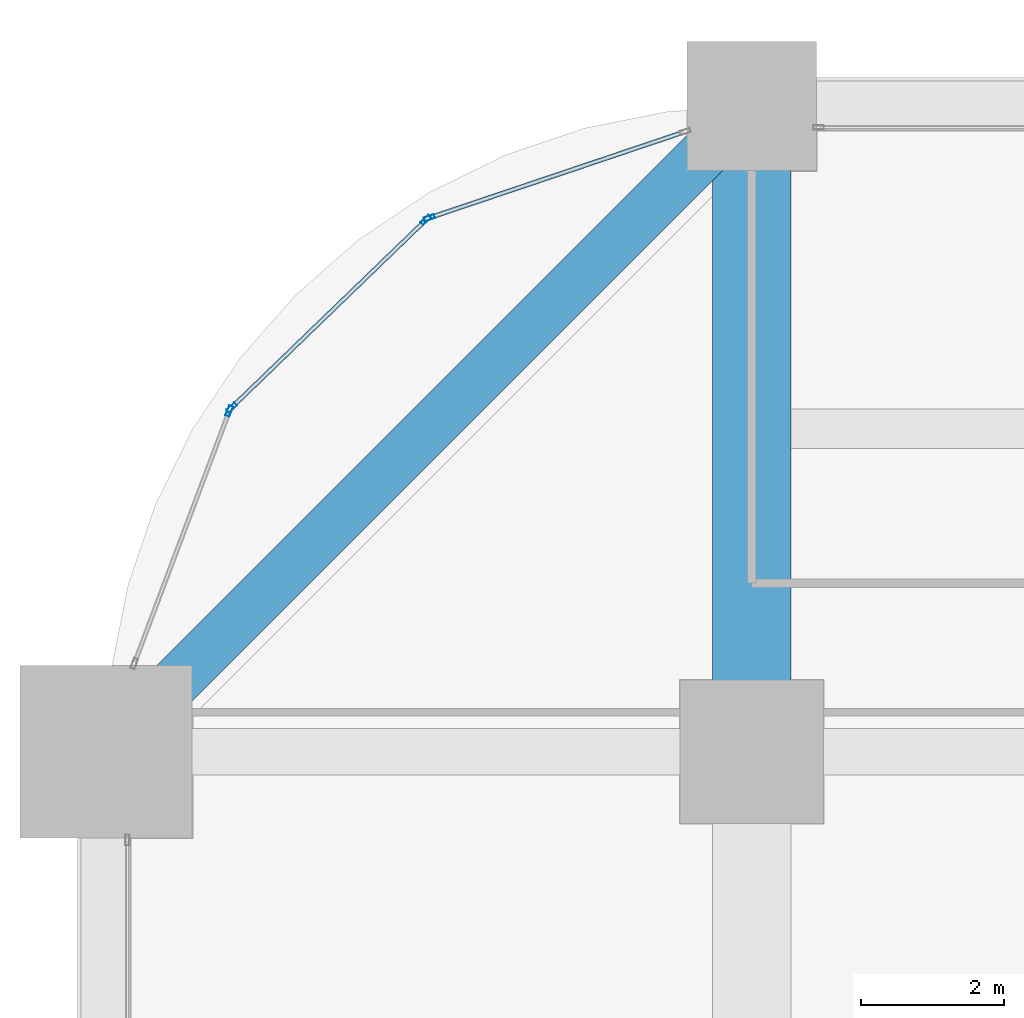
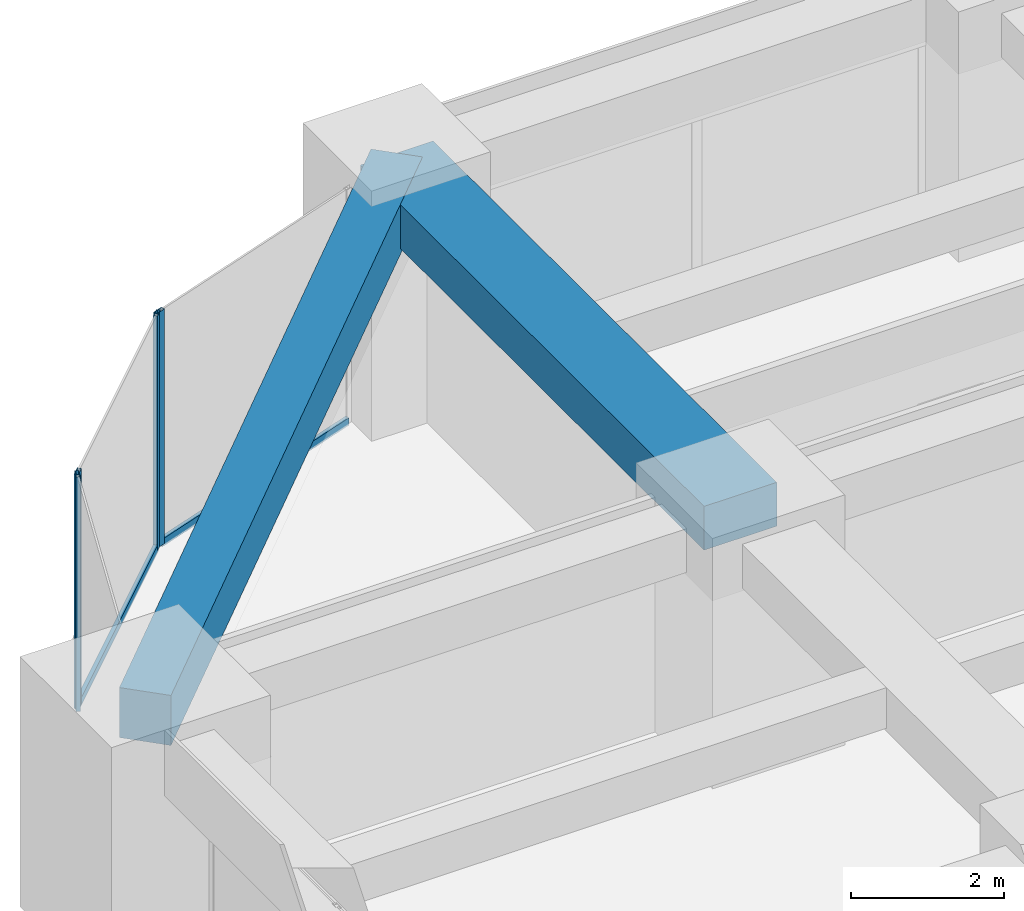
# One storey, part 26 of 41: 6 members, 2 beams, 3 elements without a shape of their own.
"""IFC4 building model written with IfcOpenShell, lengths in metres."""

from ifc_helpers import new_model, si_unit, direction, frame, origin, origin_2d, place, context, subcontext, project, spatial, rectangle, hollow_rectangle, extrude, material, material_profile, profile_set, type_object, element, aggregate, save


model = new_model("IFC4")

# Units and contexts
model_context = context("Model", 3, precision=1e-05, world=origin(), true_north=direction((0.0, 1.0)))
body_context = subcontext(model_context, "Body", "Model", "MODEL_VIEW")
ifc_project = project(units=[si_unit("LENGTHUNIT", "METRE"), si_unit("AREAUNIT", "SQUARE_METRE"), si_unit("VOLUMEUNIT", "CUBIC_METRE"), si_unit("PLANEANGLEUNIT", "RADIAN"), si_unit("MASSUNIT", "GRAM", prefix="KILO")], contexts=[model_context])

# Site, building, storey
site_placement = place(None, origin())
site = spatial("IfcSite", under=ifc_project, at=site_placement, CompositionType="ELEMENT")
building_placement = place(site_placement, origin())
building = spatial("IfcBuilding", under=site, at=building_placement, Name="Zorevar Civic Tower", CompositionType="ELEMENT")
storey_placement = place(building_placement, frame((0.0, 0.0, 101.0)))
storey = spatial("IfcBuildingStorey", under=building, at=storey_placement, Name="L24", CompositionType="ELEMENT", Elevation=101.0)

# Beam
ifc_material_1 = material(Name="Concrete C50/60", Category="concrete")
ifc_material_profile_1 = material_profile(ifc_material_1, rectangle(XDim=1.10009765625, YDim=0.699951171875, at=origin_2d()), Name="RC 1100x700")
ifc_profile_set_1 = profile_set([ifc_material_profile_1], Name="Concrete C50/60")
beam_type_1 = type_object("IfcBeamType", Name="Beam RC 1100x700", PredefinedType="BEAM", material=ifc_profile_set_1)
beam_1_placement = place(storey_placement, frame((9.0, 36.0, 3.39990234375), z_axis=(0.0, 1.0, 0.0), x_axis=(-1.0, 0.0, 0.0)))
element("IfcBeam", 1, at=beam_1_placement, inside=storey, type_object=beam_type_1, Name="Girder L25", PredefinedType="BEAM", context=body_context, shape_type="SweptSolid", body=[
    extrude(rectangle(XDim=1.10009765625, YDim=0.699951171875, at=origin_2d()), origin(), (0.0, 0.0, 1.0), 9.0),
])

# Curtain wall, member
ifc_material_2 = material(Name="Dark grey solar-control glass in black aluminium frame", Category="aluminium")
curtain_wall_type = type_object("IfcCurtainWallType", Name="Curtain wall CW3 mid zone", PredefinedType="NOTDEFINED", material=ifc_material_2)
curtain_wall_1_placement = place(storey_placement, origin())
curtain_wall_1 = element("IfcCurtainWall", 2, at=curtain_wall_1_placement, inside=storey, type_object=curtain_wall_type, Name="CW3 L24", PredefinedType="NOTDEFINED")
ifc_material_3 = material(Name="Aluminium, black anodised", Category="aluminium")
ifc_material_profile_2 = material_profile(ifc_material_3, hollow_rectangle(XDim=0.06005859375, YDim=0.14990234375, WallThickness=0.00390625, at=origin_2d()), Name="AL 150x60x4")
ifc_profile_set_2 = profile_set([ifc_material_profile_2], Name="Aluminium, black anodised")
member_type_1 = type_object("IfcMemberType", Name="CW3 mullion AL 150x60x4", PredefinedType="MULLION", material=ifc_profile_set_2)
member_1_placement = place(storey_placement, frame((4.506591796875, 43.442138671875, 0.0), z_axis=(0.0, 0.0, 1.0), x_axis=(0.319412525043, -0.947615765406, 0.0)))
member_1 = element("IfcMember", 3, at=member_1_placement, type_object=member_type_1, Name="CW3 mullion 2", PredefinedType="MULLION", context=body_context, shape_type="SweptSolid", body=[
    extrude(hollow_rectangle(XDim=0.06005859375, YDim=0.14990234375, WallThickness=0.00390625, at=origin_2d()), origin(), (0.0, 0.0, 1.0), 3.75),
])

# Curtain wall, members
curtain_wall_2_placement = place(storey_placement, origin())
curtain_wall_2 = element("IfcCurtainWall", 4, at=curtain_wall_2_placement, inside=storey, type_object=curtain_wall_type, Name="CW3 L24", PredefinedType="NOTDEFINED")
member_2_placement = place(storey_placement, frame((4.45654296875, 43.41162109375, 0.0), z_axis=(0.0, 0.0, 1.0), x_axis=(0.694719089155, -0.719281160023, 0.0)))
member_2 = element("IfcMember", 5, at=member_2_placement, type_object=member_type_1, Name="CW3 mullion 1", PredefinedType="MULLION", context=body_context, shape_type="SweptSolid", body=[
    extrude(hollow_rectangle(XDim=0.06005859375, YDim=0.14990234375, WallThickness=0.00390625, at=origin_2d()), origin(), (0.0, 0.0, 1.0), 3.75),
])
member_3_placement = place(storey_placement, frame((1.750732421875, 40.798095703125, 0.0), z_axis=(0.0, 0.0, 1.0), x_axis=(0.694719089155, -0.719281160023, 0.0)))
member_3 = element("IfcMember", 6, at=member_3_placement, type_object=member_type_1, Name="CW3 mullion 2", PredefinedType="MULLION", context=body_context, shape_type="SweptSolid", body=[
    extrude(hollow_rectangle(XDim=0.06005859375, YDim=0.14990234375, WallThickness=0.00390625, at=origin_2d()), origin(), (0.0, 0.0, 1.0), 3.75),
])

# Curtain wall, member
curtain_wall_3_placement = place(storey_placement, origin())
curtain_wall_3 = element("IfcCurtainWall", 7, at=curtain_wall_3_placement, inside=storey, type_object=curtain_wall_type, Name="CW3 L24", PredefinedType="NOTDEFINED")
member_4_placement = place(storey_placement, frame((1.718505859375, 40.749267578125, 0.0), z_axis=(0.0, 0.0, 1.0), x_axis=(0.935950528564, -0.352131520999, 0.0)))
member_4 = element("IfcMember", 8, at=member_4_placement, type_object=member_type_1, Name="CW3 mullion 1", PredefinedType="MULLION", context=body_context, shape_type="SweptSolid", body=[
    extrude(hollow_rectangle(XDim=0.06005859375, YDim=0.14990234375, WallThickness=0.00390625, at=origin_2d()), origin(), (0.0, 0.0, 1.0), 3.75),
])
aggregate(curtain_wall_3, [member_4])

# Member
ifc_material_4 = material(Name="Aluminium, black anodised", Category="aluminium")
ifc_material_profile_3 = material_profile(ifc_material_4, hollow_rectangle(XDim=0.06005859375, YDim=0.1201171875, WallThickness=0.0029296875, at=origin_2d()), Name="AL 120x60x3")
ifc_profile_set_3 = profile_set([ifc_material_profile_3], Name="Aluminium, black anodised")
member_type_2 = type_object("IfcMemberType", Name="CW3 transom AL 120x60x3", PredefinedType="USERDEFINED", material=ifc_profile_set_3)
member_5_placement = place(storey_placement, frame((8.043212890625, 44.634033203125, 0.030029296875), z_axis=(-0.9476295577, -0.319371603893, 0.0), x_axis=(0.319371603893, -0.9476295577, 0.0)))
member_5 = element("IfcMember", 9, at=member_5_placement, type_object=member_type_2, Name="CW3 sill transom", ObjectType="TRANSOM", PredefinedType="USERDEFINED", context=body_context, shape_type="SweptSolid", body=[
    extrude(hollow_rectangle(XDim=0.06005859375, YDim=0.1201171875, WallThickness=0.0029296875, at=origin_2d()), origin(), (0.0, 0.0, 1.0), 3.7021484375),
])

aggregate(curtain_wall_1, [member_1, member_5])

member_6_placement = place(storey_placement, frame((4.43505859375, 43.390869140625, 0.030029296875), z_axis=(-0.719266228526, -0.694734548228, 0.0), x_axis=(0.694734548228, -0.719266228526, 0.0)))
member_6 = element("IfcMember", 10, at=member_6_placement, type_object=member_type_2, Name="CW3 sill transom", ObjectType="TRANSOM", PredefinedType="USERDEFINED", context=body_context, shape_type="SweptSolid", body=[
    extrude(hollow_rectangle(XDim=0.06005859375, YDim=0.1201171875, WallThickness=0.0029296875, at=origin_2d()), origin(), (0.0, 0.0, 1.0), 3.7021484375),
])

aggregate(curtain_wall_2, [member_2, member_3, member_6])

# Beam
ifc_material_5 = material(Name="Concrete C50/60", Category="concrete")
ifc_material_profile_4 = material_profile(ifc_material_5, rectangle(XDim=0.699951171875, YDim=0.800048828125, at=origin_2d()), Name="RC 700x800")
ifc_profile_set_4 = profile_set([ifc_material_profile_4], Name="Concrete C50/60")
beam_type_2 = type_object("IfcBeamType", Name="Edge beam RC 700x800", PredefinedType="SPANDREL", material=ifc_profile_set_4)
beam_2_placement = place(storey_placement, frame((9.0, 45.0, 3.35009765625), z_axis=(-0.707106781187, -0.707106781187, 0.0), x_axis=(0.707106781187, -0.707106781187, 0.0)))
element("IfcBeam", 11, at=beam_2_placement, inside=storey, type_object=beam_type_2, Name="Corner edge beam L25", PredefinedType="SPANDREL", context=body_context, shape_type="SweptSolid", body=[
    extrude(rectangle(XDim=0.699951171875, YDim=0.800048828125, at=origin_2d()), origin(), (0.0, 0.0, 1.0), 12.72802734375),
])

save(model, "model.ifc")
